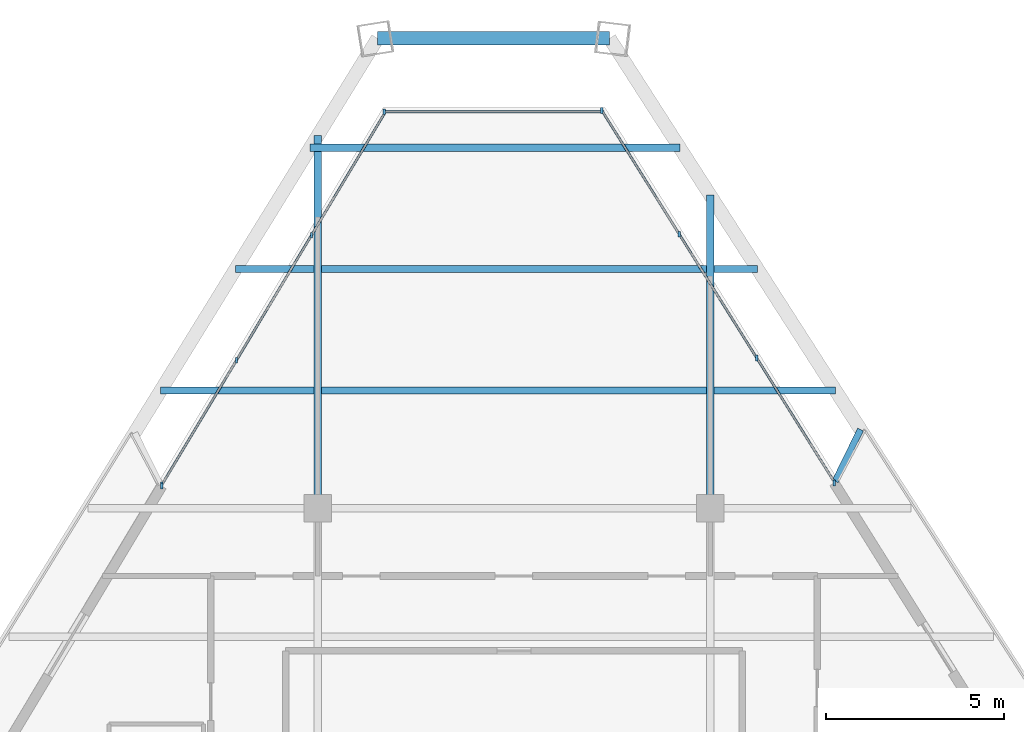
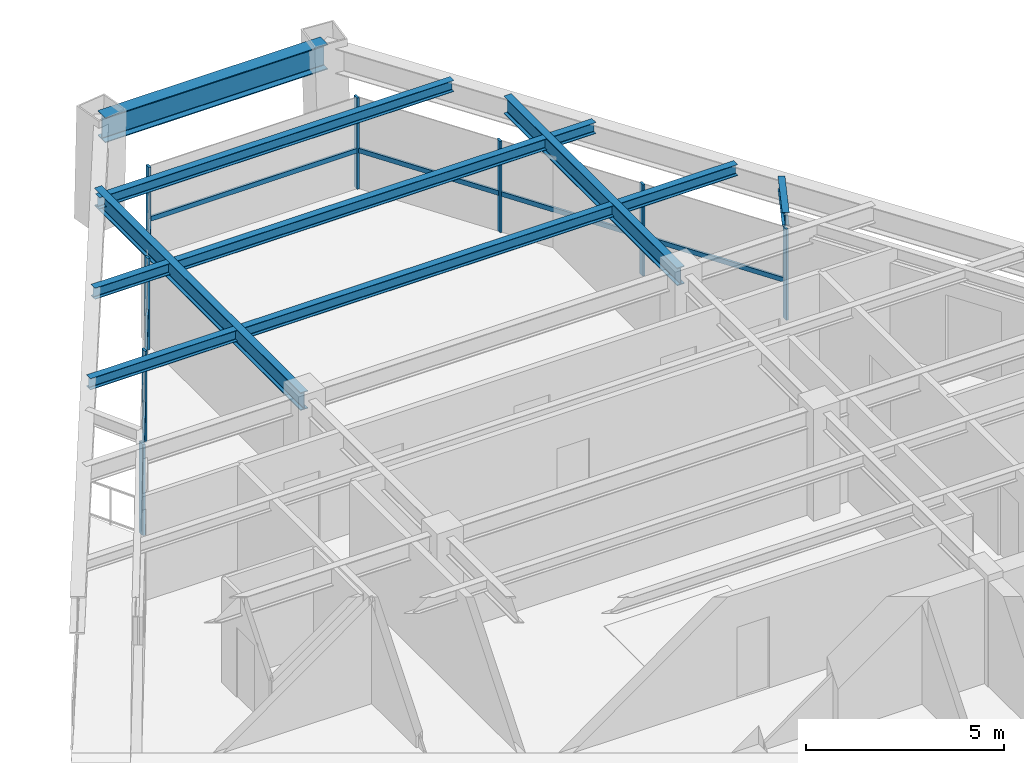
# One storey, part 6 of 12: 16 members, 11 beams, 3 elements without a shape of their own.
"""IFC4 building model written with IfcOpenShell, lengths in metres."""

import ifcopenshell
import ifcopenshell.guid

model = None  # the IFC model being written
_history = None  # IfcOwnerHistory: only IFC2X3 demands one
_inside = {}  # id of a spatial element -> (the spatial element, [elements in it])
_under = {}  # id of a project, library or spatial element -> (it, [spatial elements below it])
_declared = {}  # id of a project -> (the project, [libraries it declares])
_typed = {}  # id of a type object -> (the type object, [elements of that type])
_made_of = {}  # id of a material, layer set ... -> (it, [elements and type objects made of it])


def new_model(schema):
    """Start an empty IFC model of exactly this schema.

    Asked for "IFC4X3", IfcOpenShell would pick the latest addendum, in which some entities
    have other attributes; the version numbers below select the first issue.
    IFC2X3 requires an IfcOwnerHistory on every rooted entity: one is made here for all.
    """
    global model, _history
    if schema == "IFC4X3":
        model = ifcopenshell.file(schema_version=(4, 3, 0, 0))
    else:
        model = ifcopenshell.file(schema=schema)
    _inside.clear()
    _under.clear()
    _declared.clear()
    _typed.clear()
    _made_of.clear()
    _history = None
    if model.schema == "IFC2X3":
        org = make("IfcOrganization", Name="unknown")
        user = make(
            "IfcPersonAndOrganization",
            ThePerson=make("IfcPerson", FamilyName="unknown"),
            TheOrganization=org,
        )
        app = make(
            "IfcApplication",
            ApplicationDeveloper=org,
            Version="unknown",
            ApplicationFullName="unknown",
            ApplicationIdentifier="unknown",
        )
        _history = make(
            "IfcOwnerHistory",
            OwningUser=user,
            OwningApplication=app,
            ChangeAction="ADDED",
            CreationDate=0,
        )
    return model


def make(cls, **values):
    """One entity of the class cls with the attributes given. An attribute that is None is left unset."""
    return model.create_entity(
        cls, **{name: value for name, value in values.items() if value is not None}
    )


def rooted(cls, **values):
    """An entity with a GlobalId (a new one), such as an element, a storey or a relation."""
    return make(cls, GlobalId=ifcopenshell.guid.new(), OwnerHistory=_history, **values)


def si_unit(unit_type, name, prefix=None):
    """IfcSIUnit, for example si_unit("LENGTHUNIT", "METRE", prefix="MILLI")."""
    return make("IfcSIUnit", UnitType=unit_type, Prefix=prefix, Name=name)


def assignment(units):
    """IfcUnitAssignment: the units of a project."""
    return None if units is None else make("IfcUnitAssignment", Units=units)


def point(xyz):
    """IfcCartesianPoint."""
    return None if xyz is None else make("IfcCartesianPoint", Coordinates=xyz)


def direction(xyz):
    """IfcDirection."""
    return None if xyz is None else make("IfcDirection", DirectionRatios=xyz)


def frame(location, z_axis=None, x_axis=None):
    """IfcAxis2Placement3D, a coordinate frame: its origin and axes. An axis left out is left unset."""
    return make(
        "IfcAxis2Placement3D",
        Location=point(location),
        Axis=direction(z_axis),
        RefDirection=direction(x_axis),
    )


def frame_2d(location, x_axis=None):
    """IfcAxis2Placement2D, a coordinate frame in the plane: its origin and x axis."""
    return make(
        "IfcAxis2Placement2D", Location=point(location), RefDirection=direction(x_axis)
    )


def origin():
    """The frame at (0, 0, 0) with its axes left unset."""
    return frame((0.0, 0.0, 0.0))


def origin_2d():
    """The frame at (0, 0) in the plane with its x axis left unset."""
    return frame_2d((0.0, 0.0))


def place(relative_to, where):
    """IfcLocalPlacement: puts the frame where relative to a parent placement (None: the world)."""
    return make(
        "IfcLocalPlacement", PlacementRelTo=relative_to, RelativePlacement=where
    )


def context(
    kind, dimensions, precision=None, world=None, true_north=None, identifier=None
):
    """IfcGeometricRepresentationContext, for example the 3D "Model" context."""
    return make(
        "IfcGeometricRepresentationContext",
        ContextIdentifier=identifier,
        ContextType=kind,
        CoordinateSpaceDimension=dimensions,
        Precision=precision,
        WorldCoordinateSystem=world,
        TrueNorth=true_north,
    )


def subcontext(parent, identifier, kind, view, scale=None):
    """IfcGeometricRepresentationSubContext, for example "Body" below "Model"."""
    return make(
        "IfcGeometricRepresentationSubContext",
        ContextIdentifier=identifier,
        ContextType=kind,
        ParentContext=parent,
        TargetScale=scale,
        TargetView=view,
    )


def project(units=None, contexts=None):
    """IfcProject with its units and contexts."""
    return rooted(
        "IfcProject",
        Name="project",
        RepresentationContexts=contexts,
        UnitsInContext=assignment(units),
    )


def spatial(cls, under=None, at=None, **own):
    """A site, building, storey or space (cls), placed at a placement, below another one or the project."""
    s = rooted(cls, ObjectPlacement=at, **own)
    if under is not None:
        _under.setdefault(under.id(), (under, []))[1].append(s)
    return s


def profile(cls, at=None, kind="AREA", **sizes):
    """A parametric profile (cls). Its sizes go by their IFC names, for example OverallWidth=200.0."""
    return make(cls, ProfileType=kind, Position=at, **sizes)


def rectangle(**sizes):
    """IfcRectangleProfileDef."""
    return profile("IfcRectangleProfileDef", **sizes)


def i_section(**sizes):
    """IfcIShapeProfileDef."""
    return profile("IfcIShapeProfileDef", **sizes)


def extrude(swept, where, along, depth):
    """IfcExtrudedAreaSolid: the profile swept, set in the frame where, extruded along a direction by depth."""
    return make(
        "IfcExtrudedAreaSolid",
        SweptArea=swept,
        Position=where,
        ExtrudedDirection=direction(along),
        Depth=depth,
    )


def shape(context_of_items, identifier, shape_type, items):
    """IfcShapeRepresentation: the items that make up one representation, for example the "Body"."""
    return make(
        "IfcShapeRepresentation",
        ContextOfItems=context_of_items,
        RepresentationIdentifier=identifier,
        RepresentationType=shape_type,
        Items=items,
    )


def source(mapping_origin, context_of_items, identifier, shape_type, items):
    """IfcRepresentationMap: a shape defined once, which mapped items show again and again."""
    return make(
        "IfcRepresentationMap",
        MappingOrigin=mapping_origin,
        MappedRepresentation=shape(context_of_items, identifier, shape_type, items),
    )


def transform(
    local_origin,
    x_axis=None,
    y_axis=None,
    z_axis=None,
    scale=None,
    scale2=None,
    scale3=None,
    uniform=True,
):
    """IfcCartesianTransformationOperator3D, or its non-uniform kind. x_axis, y_axis, z_axis: its Axis1, 2, 3."""
    if uniform:
        return make(
            "IfcCartesianTransformationOperator3D",
            Axis1=direction(x_axis),
            Axis2=direction(y_axis),
            LocalOrigin=point(local_origin),
            Scale=scale,
            Axis3=direction(z_axis),
        )
    return make(
        "IfcCartesianTransformationOperator3DnonUniform",
        Axis1=direction(x_axis),
        Axis2=direction(y_axis),
        LocalOrigin=point(local_origin),
        Scale=scale,
        Axis3=direction(z_axis),
        Scale2=scale2,
        Scale3=scale3,
    )


def mapped(mapping_source, mapping_target):
    """IfcMappedItem: shows the shape of a source again, moved by a transform."""
    return make(
        "IfcMappedItem", MappingSource=mapping_source, MappingTarget=mapping_target
    )


def material(Name=None, Category=None):
    """IfcMaterial."""
    return make("IfcMaterial", Name=Name, Category=Category)


def material_profile(
    of_material, cross_section, Name=None, Category=None, Priority=None
):
    """IfcMaterialProfile: a cross section and its material."""
    return make(
        "IfcMaterialProfile",
        Name=Name,
        Material=of_material,
        Profile=cross_section,
        Priority=Priority,
        Category=Category,
    )


def profile_set(profiles, Name=None, composite=None):
    """IfcMaterialProfileSet."""
    return make(
        "IfcMaterialProfileSet",
        Name=Name,
        MaterialProfiles=profiles,
        CompositeProfile=composite,
    )


def made_of(thing, what):
    """Note that an element or type object is made of a material, layer set ...; save() writes the relation."""
    if what is not None:
        _made_of.setdefault(what.id(), (what, []))[1].append(thing)
    return thing


def type_object(cls, material=None, **own):
    """A type object (cls), such as IfcWallType, which elements share."""
    return made_of(rooted(cls, **own), material)


def type_shapes(of_type, sources):
    """Give a type object the sources (RepresentationMaps) that its elements show as mapped items."""
    of_type.RepresentationMaps = sources


def element(
    cls,
    number,
    at=None,
    inside=None,
    cuts=None,
    type_object=None,
    material=None,
    context=None,
    identifier="Body",
    shape_type=None,
    held_by="IfcProductDefinitionShape",
    body=None,
    shapes=None,
    **own,
):
    """One element of the class cls, such as IfcWall. Its Tag is "e" and its number.

    at: its placement. inside: the storey or other place that contains it. cuts: it is an
    opening in that element (IfcRelVoidsElement). A single representation is given by context,
    identifier, shape_type and body (its items); several are given by shapes. held_by: the class
    of the entity that holds the representations. save() writes the other relations.
    """
    e = rooted(cls, Tag="e%d" % number, ObjectPlacement=at, **own)
    if body is not None:
        shapes = [shape(context, identifier, shape_type, body)]
    if shapes is not None:
        e.Representation = make(held_by, Representations=shapes)
    if inside is not None:
        _inside.setdefault(inside.id(), (inside, []))[1].append(e)
    if cuts is not None:
        rooted(
            "IfcRelVoidsElement", RelatingBuildingElement=cuts, RelatedOpeningElement=e
        )
    if type_object is not None:
        _typed.setdefault(type_object.id(), (type_object, []))[1].append(e)
    return made_of(e, material)


def aggregate(whole, parts):
    """IfcRelAggregates: a whole, such as a stair, and the parts it consists of."""
    return rooted("IfcRelAggregates", RelatingObject=whole, RelatedObjects=parts)


def save(model, path):
    """Write the relations noted so far, then the file.

    IfcRelAggregates (storeys below a building ...), IfcRelContainedInSpatialStructure (elements
    in a storey), IfcRelDefinesByType, IfcRelAssociatesMaterial and IfcRelDeclares: one each for
    every whole, place, type object, material and project.
    """
    for whole, parts in _under.values():
        aggregate(whole, parts)
    for where, things in _inside.values():
        rooted(
            "IfcRelContainedInSpatialStructure",
            RelatedElements=things,
            RelatingStructure=where,
        )
    for kind, things in _typed.values():
        rooted("IfcRelDefinesByType", RelatedObjects=things, RelatingType=kind)
    for what, things in _made_of.values():
        rooted("IfcRelAssociatesMaterial", RelatedObjects=things, RelatingMaterial=what)
    for by, libraries in _declared.values():
        rooted("IfcRelDeclares", RelatingContext=by, RelatedDefinitions=libraries)
    model.write(path)


model = new_model("IFC4")

# Units and contexts
model_context = context("Model", 3, precision=1e-05, world=origin(), true_north=direction((0.0, 1.0)))
body_context = subcontext(model_context, "Body", "Model", "MODEL_VIEW")
ifc_project = project(units=[si_unit("LENGTHUNIT", "METRE"), si_unit("AREAUNIT", "SQUARE_METRE"), si_unit("VOLUMEUNIT", "CUBIC_METRE"), si_unit("PLANEANGLEUNIT", "RADIAN"), si_unit("MASSUNIT", "GRAM", prefix="KILO")], contexts=[model_context])

# Site, building, storey
site_placement = place(None, origin())
site = spatial("IfcSite", under=ifc_project, at=site_placement, CompositionType="ELEMENT")
building_placement = place(site_placement, origin())
building = spatial("IfcBuilding", under=site, at=building_placement, Name="Varnakhor Terracotta Tower", CompositionType="ELEMENT")
storey_placement = place(building_placement, frame((0.0, 0.0, 220.0)))
storey = spatial("IfcBuildingStorey", under=building, at=storey_placement, Name="L56", CompositionType="ELEMENT", Elevation=220.0)

# Beams
ifc_material_1 = material(Name="Steel S355", Category="steel")
ifc_material_profile_1 = material_profile(ifc_material_1, i_section(OverallWidth=0.202880859375, OverallDepth=0.346923828125, WebThickness=0.0078125, FlangeThickness=0.013427734375, FilletRadius=0.01806640625, at=origin_2d()), Name="W14X43")
ifc_profile_set_1 = profile_set([ifc_material_profile_1], Name="Steel S355")
beam_type_1 = type_object("IfcBeamType", Name="JST-W14X43", PredefinedType="JOIST", material=ifc_profile_set_1)
shared_shape_1 = source(origin(), body_context, "Body", "SweptSolid", [
    extrude(i_section(OverallWidth=0.202880859375, OverallDepth=0.346923828125, WebThickness=0.0078125, FlangeThickness=0.013427734375, FilletRadius=0.01806640625, at=origin_2d()), origin(), (0.0, 0.0, 1.0), 10.7939453125),
])
for number, where, z_axis, x_axis, name in (
    (1, (-5.39697265625, 34.800048828125, 3.06640625), (1.0, 0.0, 0.0), (0.0, 1.0, 0.0), "L56 Composite Floor Joist 7-2"),
    (2, (-5.39697265625, 38.199951171875, 3.06640625), (1.0, 0.0, 0.0), (0.0, 1.0, 0.0), "L56 Composite Floor Joist 8-2"),
):
    element("IfcBeam", number, at=place(storey_placement, frame(where, z_axis=z_axis, x_axis=x_axis)), inside=storey, type_object=beam_type_1, Name=name, PredefinedType="JOIST", context=body_context, shape_type="MappedRepresentation", body=[
        mapped(shared_shape_1, transform((0.0, 0.0, 0.0), scale=1.0)),
    ])
ifc_material_profile_2 = material_profile(ifc_material_1, i_section(OverallWidth=0.381103515625, OverallDepth=0.77294921875, WebThickness=0.01708984375, FlangeThickness=0.027099609375, FilletRadius=0.01806640625, at=origin_2d()), Name="W30X173")
ifc_profile_set_2 = profile_set([ifc_material_profile_2], Name="Steel S355")
beam_type_2 = type_object("IfcBeamType", Name="BM-W30X173", PredefinedType="BEAM", material=ifc_profile_set_2)
shared_shape_2 = source(origin(), body_context, "Body", "SweptSolid", [
    extrude(i_section(OverallWidth=0.381103515625, OverallDepth=0.77294921875, WebThickness=0.01708984375, FlangeThickness=0.027099609375, FilletRadius=0.01806640625, at=origin_2d()), origin(), (0.0, 0.0, 1.0), 6.499267578125),
])
beam_1_placement = place(storey_placement, frame((2.67919921875, 44.667236328125, 2.853515625), z_axis=(-1.0, 0.0, 0.0), x_axis=(0.0, -1.0, 0.0)))
element("IfcBeam", 3, at=beam_1_placement, inside=storey, type_object=beam_type_2, Name="L56 Perimeter Spandrel 5", PredefinedType="BEAM", context=body_context, shape_type="MappedRepresentation", body=[
    mapped(shared_shape_2, transform((0.0, 0.0, 0.0), scale=1.0)),
])
ifc_material_profile_3 = material_profile(ifc_material_1, i_section(OverallWidth=0.214111328125, OverallDepth=0.549072265625, WebThickness=0.014892578125, FlangeThickness=0.02392578125, FilletRadius=0.01806640625, at=origin_2d()), Name="W21X93")
ifc_profile_set_3 = profile_set([ifc_material_profile_3], Name="Steel S355")
beam_type_3 = type_object("IfcBeamType", Name="BM-W21X93", PredefinedType="BEAM", material=ifc_profile_set_3)
shared_shape_3 = source(origin(), body_context, "Body", "SweptSolid", [
    extrude(i_section(OverallWidth=0.214111328125, OverallDepth=0.549072265625, WebThickness=0.014892578125, FlangeThickness=0.02392578125, FilletRadius=0.01806640625, at=origin_2d()), origin(), (0.0, 0.0, 1.0), 10.44091796875),
])
beam_2_placement = place(storey_placement, frame((-5.5, 31.5, 2.965576171875), z_axis=(0.0, 1.0, 0.0), x_axis=(-1.0, 0.0, 0.0)))
element("IfcBeam", 4, at=beam_2_placement, inside=storey, type_object=beam_type_3, Name="L56 Primary Girder NS3-W", PredefinedType="BEAM", context=body_context, shape_type="MappedRepresentation", body=[
    mapped(shared_shape_3, transform((0.0, 0.0, 0.0), scale=1.0)),
])
shared_shape_4 = source(origin(), body_context, "Body", "SweptSolid", [
    extrude(i_section(OverallWidth=0.214111328125, OverallDepth=0.549072265625, WebThickness=0.014892578125, FlangeThickness=0.02392578125, FilletRadius=0.01806640625, at=origin_2d()), origin(), (0.0, 0.0, 1.0), 8.771484375),
])
beam_3_placement = place(storey_placement, frame((5.5, 31.5, 2.965576171875), z_axis=(0.0, 1.0, 0.0), x_axis=(-1.0, 0.0, 0.0)))
element("IfcBeam", 5, at=beam_3_placement, inside=storey, type_object=beam_type_3, Name="L56 Primary Girder NS3-E", PredefinedType="BEAM", context=body_context, shape_type="MappedRepresentation", body=[
    mapped(shared_shape_4, transform((0.0, 0.0, 0.0), scale=1.0)),
])
shared_shape_5 = source(origin(), body_context, "Body", "SweptSolid", [
    extrude(i_section(OverallWidth=0.202880859375, OverallDepth=0.346923828125, WebThickness=0.0078125, FlangeThickness=0.013427734375, FilletRadius=0.01806640625, at=origin_2d()), origin(), (0.0, 0.0, 1.0), 4.29736328125),
])
beam_4_placement = place(storey_placement, frame((-9.900390625, 34.800048828125, 3.06640625), z_axis=(1.0, 0.0, 0.0), x_axis=(0.0, 1.0, 0.0)))
element("IfcBeam", 6, at=beam_4_placement, inside=storey, type_object=beam_type_1, Name="L56 Composite Floor Joist 7-1", PredefinedType="JOIST", context=body_context, shape_type="MappedRepresentation", body=[
    mapped(shared_shape_5, transform((0.0, 0.0, 0.0), scale=1.0)),
])
shared_shape_6 = source(origin(), body_context, "Body", "SweptSolid", [
    extrude(i_section(OverallWidth=0.202880859375, OverallDepth=0.346923828125, WebThickness=0.0078125, FlangeThickness=0.013427734375, FilletRadius=0.01806640625, at=origin_2d()), origin(), (0.0, 0.0, 1.0), 3.408203125),
])
beam_5_placement = place(storey_placement, frame((5.60302734375, 34.800048828125, 3.06640625), z_axis=(1.0, 0.0, 0.0), x_axis=(0.0, 1.0, 0.0)))
element("IfcBeam", 7, at=beam_5_placement, inside=storey, type_object=beam_type_1, Name="L56 Composite Floor Joist 7-3", PredefinedType="JOIST", context=body_context, shape_type="MappedRepresentation", body=[
    mapped(shared_shape_6, transform((0.0, 0.0, 0.0), scale=1.0)),
])
shared_shape_7 = source(origin(), body_context, "Body", "SweptSolid", [
    extrude(i_section(OverallWidth=0.202880859375, OverallDepth=0.346923828125, WebThickness=0.0078125, FlangeThickness=0.013427734375, FilletRadius=0.01806640625, at=origin_2d()), origin(), (0.0, 0.0, 1.0), 2.2021484375),
])
beam_6_placement = place(storey_placement, frame((-7.80517578125, 38.199951171875, 3.06640625), z_axis=(1.0, 0.0, 0.0), x_axis=(0.0, 1.0, 0.0)))
element("IfcBeam", 8, at=beam_6_placement, inside=storey, type_object=beam_type_1, Name="L56 Composite Floor Joist 8-1", PredefinedType="JOIST", context=body_context, shape_type="MappedRepresentation", body=[
    mapped(shared_shape_7, transform((0.0, 0.0, 0.0), scale=1.0)),
])
shared_shape_8 = source(origin(), body_context, "Body", "SweptSolid", [
    extrude(i_section(OverallWidth=0.202880859375, OverallDepth=0.346923828125, WebThickness=0.0078125, FlangeThickness=0.013427734375, FilletRadius=0.01806640625, at=origin_2d()), origin(), (0.0, 0.0, 1.0), 1.226318359375),
])
beam_7_placement = place(storey_placement, frame((5.60302734375, 38.199951171875, 3.06640625), z_axis=(1.0, 0.0, 0.0), x_axis=(0.0, 1.0, 0.0)))
element("IfcBeam", 9, at=beam_7_placement, inside=storey, type_object=beam_type_1, Name="L56 Composite Floor Joist 8-3", PredefinedType="JOIST", context=body_context, shape_type="MappedRepresentation", body=[
    mapped(shared_shape_8, transform((0.0, 0.0, 0.0), scale=1.0)),
])
shared_shape_9 = source(origin(), body_context, "Body", "SweptSolid", [
    extrude(i_section(OverallWidth=0.202880859375, OverallDepth=0.346923828125, WebThickness=0.0078125, FlangeThickness=0.013427734375, FilletRadius=0.01806640625, at=origin_2d()), origin(), (0.0, 0.0, 1.0), 10.357666015625),
])
beam_8_placement = place(storey_placement, frame((-5.710205078125, 41.60009765625, 3.06640625), z_axis=(1.0, 0.0, 0.0), x_axis=(0.0, 1.0, 0.0)))
element("IfcBeam", 10, at=beam_8_placement, inside=storey, type_object=beam_type_1, Name="L56 Composite Floor Joist 9-1", PredefinedType="JOIST", context=body_context, shape_type="MappedRepresentation", body=[
    mapped(shared_shape_9, transform((0.0, 0.0, 0.0), scale=1.0)),
])
ifc_material_profile_4 = material_profile(ifc_material_1, i_section(OverallWidth=0.179931640625, OverallDepth=0.39990234375, WebThickness=0.008544921875, FlangeThickness=0.013427734375, FilletRadius=0.01806640625, at=origin_2d()), Name="IPE400")
ifc_profile_set_4 = profile_set([ifc_material_profile_4], Name="Steel S355")
beam_type_4 = type_object("IfcBeamType", Name="JST-IPE400", PredefinedType="JOIST", material=ifc_profile_set_4)
shared_shape_10 = source(origin(), body_context, "Body", "SweptSolid", [
    extrude(i_section(OverallWidth=0.179931640625, OverallDepth=0.39990234375, WebThickness=0.008544921875, FlangeThickness=0.013427734375, FilletRadius=0.01806640625, at=origin_2d()), origin(), (0.0, 0.0, 1.0), 1.619384765625),
])
beam_9_placement = place(storey_placement, frame((9.001220703125, 32.251953125, 3.0400390625), z_axis=(0.439780593733, 0.898105244042, 0.0), x_axis=(-0.898105244042, 0.439780593733, 0.0)))
element("IfcBeam", 11, at=beam_9_placement, inside=storey, type_object=beam_type_4, Name="L57 E Loggia Tie Beam 1", PredefinedType="JOIST", context=body_context, shape_type="MappedRepresentation", body=[
    mapped(shared_shape_10, transform((0.0, 0.0, 0.0), scale=1.0)),
])

# Curtain wall, members
ifc_material_2 = material(Name="Anodised Aluminium Curtain Wall System", Category="aluminium")
curtain_wall_type = type_object("IfcCurtainWallType", Name="CW-SYS-HOTEL-LOGGIA", PredefinedType="NOTDEFINED", material=ifc_material_2)
curtain_wall_1_placement = place(storey_placement, origin())
curtain_wall_1 = element("IfcCurtainWall", 12, at=curtain_wall_1_placement, inside=storey, type_object=curtain_wall_type, Name="L56 W Facet Curtain Wall 2", PredefinedType="NOTDEFINED")
ifc_material_3 = material(Name="Anodised Aluminium 6063-T6", Category="aluminium")
ifc_material_profile_5 = material_profile(ifc_material_3, rectangle(XDim=0.06494140625, YDim=0.159912109375, at=origin_2d()), Name="ALU MULLION 65x160")
ifc_profile_set_5 = profile_set([ifc_material_profile_5], Name="Anodised Aluminium 6063-T6")
member_type_1 = type_object("IfcMemberType", Name="CWM-04", PredefinedType="MULLION", material=ifc_profile_set_5)
shared_shape_11 = source(origin(), body_context, "Body", "SweptSolid", [
    extrude(rectangle(XDim=0.06494140625, YDim=0.159912109375, at=origin_2d()), origin(), (0.0, 0.0, 1.0), 2.820068359375),
])
type_shapes(member_type_1, [shared_shape_11])
member_1_placement = place(storey_placement, frame((-9.87158203125, 32.15234375, 0.0), z_axis=(0.0, 0.0, 1.0), x_axis=(1.0, 0.0, 0.0)))
member_1 = element("IfcMember", 13, at=member_1_placement, type_object=member_type_1, Name="L56 W Facet Curtain Wall 2 Mullion 1", PredefinedType="MULLION", context=body_context, shape_type="MappedRepresentation", body=[
    mapped(shared_shape_11, transform((0.0, 0.0, 0.0), scale=1.0)),
])
member_2_placement = place(storey_placement, frame((-7.773681640625, 35.64990234375, 0.0), z_axis=(0.0, 0.0, 1.0), x_axis=(1.0, 0.0, 0.0)))
member_2 = element("IfcMember", 14, at=member_2_placement, type_object=member_type_1, Name="L56 W Facet Curtain Wall 2 Mullion 2", PredefinedType="MULLION", context=body_context, shape_type="MappedRepresentation", body=[
    mapped(shared_shape_11, transform((0.0, 0.0, 0.0), scale=1.0)),
])
member_3_placement = place(storey_placement, frame((-5.67578125, 39.147705078125, 0.0), z_axis=(0.0, 0.0, 1.0), x_axis=(1.0, 0.0, 0.0)))
member_3 = element("IfcMember", 15, at=member_3_placement, type_object=member_type_1, Name="L56 W Facet Curtain Wall 2 Mullion 3", PredefinedType="MULLION", context=body_context, shape_type="MappedRepresentation", body=[
    mapped(shared_shape_11, transform((0.0, 0.0, 0.0), scale=1.0)),
])
member_4_placement = place(storey_placement, frame((-9.869873046875, 32.1162109375, 0.0), z_axis=(0.0, 0.0, 1.0), x_axis=(1.0, 0.0, 0.0)))
member_4 = element("IfcMember", 16, at=member_4_placement, type_object=member_type_1, Name="L56 W Loggia Jamb Closure Mullion 2", PredefinedType="MULLION", context=body_context, shape_type="MappedRepresentation", body=[
    mapped(shared_shape_11, transform((0.0, 0.0, 0.0), scale=1.0)),
])

# Curtain wall, member
curtain_wall_2_placement = place(storey_placement, origin())
curtain_wall_2 = element("IfcCurtainWall", 17, at=curtain_wall_2_placement, inside=storey, type_object=curtain_wall_type, Name="L56 Facet Curtain Wall 2", PredefinedType="NOTDEFINED")
member_5_placement = place(storey_placement, frame((-3.635498046875, 42.613037109375, 0.0), z_axis=(0.0, 0.0, 1.0), x_axis=(1.0, 0.0, 0.0)))
member_5 = element("IfcMember", 18, at=member_5_placement, type_object=member_type_1, Name="L56 Facet Curtain Wall 2 Mullion 1", PredefinedType="MULLION", context=body_context, shape_type="MappedRepresentation", body=[
    mapped(shared_shape_11, transform((0.0, 0.0, 0.0), scale=1.0)),
])

# Curtain wall, members
curtain_wall_3_placement = place(storey_placement, origin())
curtain_wall_3 = element("IfcCurtainWall", 19, at=curtain_wall_3_placement, inside=storey, type_object=curtain_wall_type, Name="L56 E Facet Curtain Wall 1", PredefinedType="NOTDEFINED")
member_6_placement = place(storey_placement, frame((2.4638671875, 42.643798828125, 0.0), z_axis=(0.0, 0.0, 1.0), x_axis=(1.0, 0.0, 0.0)))
member_6 = element("IfcMember", 20, at=member_6_placement, type_object=member_type_1, Name="L56 E Facet Curtain Wall 1 Mullion 1", PredefinedType="MULLION", context=body_context, shape_type="MappedRepresentation", body=[
    mapped(shared_shape_11, transform((0.0, 0.0, 0.0), scale=1.0)),
])
member_7_placement = place(storey_placement, frame((4.634521484375, 39.17578125, 0.0), z_axis=(0.0, 0.0, 1.0), x_axis=(1.0, 0.0, 0.0)))
member_7 = element("IfcMember", 21, at=member_7_placement, type_object=member_type_1, Name="L56 E Facet Curtain Wall 1 Mullion 2", PredefinedType="MULLION", context=body_context, shape_type="MappedRepresentation", body=[
    mapped(shared_shape_11, transform((0.0, 0.0, 0.0), scale=1.0)),
])
member_8_placement = place(storey_placement, frame((6.80517578125, 35.707763671875, 0.0), z_axis=(0.0, 0.0, 1.0), x_axis=(1.0, 0.0, 0.0)))
member_8 = element("IfcMember", 22, at=member_8_placement, type_object=member_type_1, Name="L56 E Facet Curtain Wall 1 Mullion 3", PredefinedType="MULLION", context=body_context, shape_type="MappedRepresentation", body=[
    mapped(shared_shape_11, transform((0.0, 0.0, 0.0), scale=1.0)),
])
member_9_placement = place(storey_placement, frame((8.974609375, 32.20361328125, 0.0), z_axis=(0.0, 0.0, 1.0), x_axis=(1.0, 0.0, 0.0)))
member_9 = element("IfcMember", 23, at=member_9_placement, type_object=member_type_1, Name="L56 E Loggia Jamb Closure Mullion 1", PredefinedType="MULLION", context=body_context, shape_type="MappedRepresentation", body=[
    mapped(shared_shape_11, transform((0.0, 0.0, 0.0), scale=1.0)),
])

# Member
ifc_material_profile_6 = material_profile(ifc_material_3, rectangle(XDim=0.06494140625, YDim=0.14501953125, at=origin_2d()), Name="ALU TRANSOM 65x145")
ifc_profile_set_6 = profile_set([ifc_material_profile_6], Name="Anodised Aluminium 6063-T6")
member_type_2 = type_object("IfcMemberType", Name="CWT-04", PredefinedType="USERDEFINED", material=ifc_profile_set_6)
shared_shape_12 = source(origin(), body_context, "Body", "SweptSolid", [
    extrude(rectangle(XDim=0.06494140625, YDim=0.14501953125, at=origin_2d()), origin(), (0.0, 0.0, 1.0), 4.07861328125),
])
type_shapes(member_type_2, [shared_shape_12])
member_10_placement = place(storey_placement, frame((-9.87158203125, 32.15234375, 1.184326171875), z_axis=(0.514381311647, 0.857561581596, 0.0), x_axis=(-0.857561581596, 0.514381311647, 0.0)))
member_10 = element("IfcMember", 24, at=member_10_placement, type_object=member_type_2, Name="L56 W Facet Curtain Wall 2 Transom 1", ObjectType="TRANSOM", PredefinedType="USERDEFINED", context=body_context, shape_type="MappedRepresentation", body=[
    mapped(shared_shape_12, transform((0.0, 0.0, 0.0), scale=1.0)),
])

member_11_placement = place(storey_placement, frame((-7.773681640625, 35.64990234375, 1.184326171875), z_axis=(0.514354907473, 0.857577418755, 0.0), x_axis=(-0.857577418755, 0.514354907473, 0.0)))
member_11 = element("IfcMember", 25, at=member_11_placement, type_object=member_type_2, Name="L56 W Facet Curtain Wall 2 Transom 2", ObjectType="TRANSOM", PredefinedType="USERDEFINED", context=body_context, shape_type="MappedRepresentation", body=[
    mapped(shared_shape_12, transform((0.0, 0.0, 0.0), scale=1.0)),
])

member_12_placement = place(storey_placement, frame((-5.67578125, 39.147705078125, 1.184326171875), z_axis=(0.514354907473, 0.857577418755, 0.0), x_axis=(-0.857577418755, 0.514354907473, 0.0)))
member_12 = element("IfcMember", 26, at=member_12_placement, type_object=member_type_2, Name="L56 W Facet Curtain Wall 2 Transom 3", ObjectType="TRANSOM", PredefinedType="USERDEFINED", context=body_context, shape_type="MappedRepresentation", body=[
    mapped(shared_shape_12, transform((0.0, 0.0, 0.0), scale=1.0)),
])

aggregate(curtain_wall_1, [member_1, member_10, member_2, member_11, member_3, member_12, member_4])

shared_shape_13 = source(origin(), body_context, "Body", "SweptSolid", [
    extrude(rectangle(XDim=0.06494140625, YDim=0.14501953125, at=origin_2d()), origin(), (0.0, 0.0, 1.0), 6.1552734375),
])
member_13_placement = place(storey_placement, frame((-3.635498046875, 42.613037109375, 1.184326171875), z_axis=(1.0, 0.0, 0.0), x_axis=(0.0, 1.0, 0.0)))
member_13 = element("IfcMember", 27, at=member_13_placement, type_object=member_type_2, Name="L56 Facet Curtain Wall 2 Transom 1", ObjectType="TRANSOM", PredefinedType="USERDEFINED", context=body_context, shape_type="MappedRepresentation", body=[
    mapped(shared_shape_13, transform((0.0, 0.0, 0.0), scale=1.0)),
])

aggregate(curtain_wall_2, [member_5, member_13])

shared_shape_14 = source(origin(), body_context, "Body", "SweptSolid", [
    extrude(rectangle(XDim=0.06494140625, YDim=0.14501953125, at=origin_2d()), origin(), (0.0, 0.0, 1.0), 4.09130859375),
])
member_14_placement = place(storey_placement, frame((2.4638671875, 42.643798828125, 1.184326171875), z_axis=(0.530551304239, -0.847652826085, 0.0), x_axis=(0.847652826085, 0.530551304239, 0.0)))
member_14 = element("IfcMember", 28, at=member_14_placement, type_object=member_type_2, Name="L56 E Facet Curtain Wall 1 Transom 1", ObjectType="TRANSOM", PredefinedType="USERDEFINED", context=body_context, shape_type="MappedRepresentation", body=[
    mapped(shared_shape_14, transform((0.0, 0.0, 0.0), scale=1.0)),
])

member_15_placement = place(storey_placement, frame((4.634521484375, 39.17578125, 1.184326171875), z_axis=(0.530551304239, -0.847652826085, 0.0), x_axis=(0.847652826085, 0.530551304239, 0.0)))
member_15 = element("IfcMember", 29, at=member_15_placement, type_object=member_type_2, Name="L56 E Facet Curtain Wall 1 Transom 2", ObjectType="TRANSOM", PredefinedType="USERDEFINED", context=body_context, shape_type="MappedRepresentation", body=[
    mapped(shared_shape_14, transform((0.0, 0.0, 0.0), scale=1.0)),
])

member_16_placement = place(storey_placement, frame((6.80517578125, 35.707763671875, 1.184326171875), z_axis=(0.530551304239, -0.847652826085, 0.0), x_axis=(0.847652826085, 0.530551304239, 0.0)))
member_16 = element("IfcMember", 30, at=member_16_placement, type_object=member_type_2, Name="L56 E Facet Curtain Wall 1 Transom 3", ObjectType="TRANSOM", PredefinedType="USERDEFINED", context=body_context, shape_type="MappedRepresentation", body=[
    mapped(shared_shape_14, transform((0.0, 0.0, 0.0), scale=1.0)),
])

aggregate(curtain_wall_3, [member_6, member_14, member_7, member_15, member_8, member_16, member_9])

save(model, "model.ifc")
